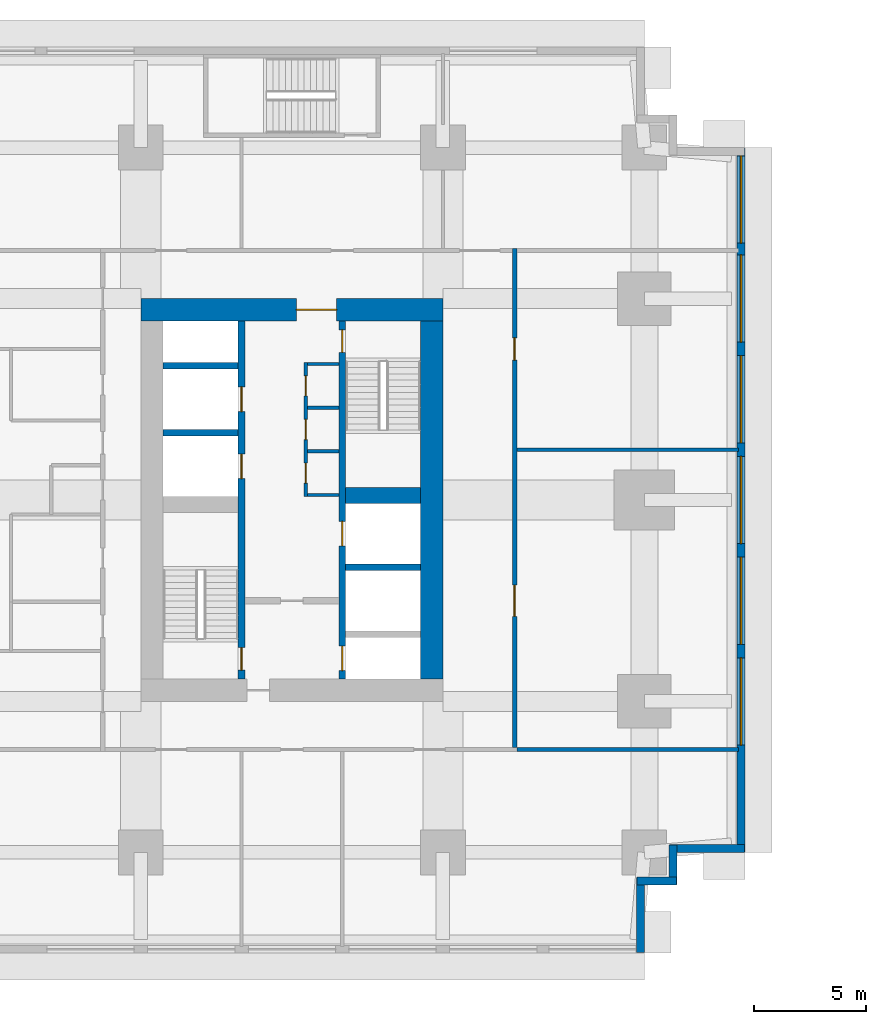
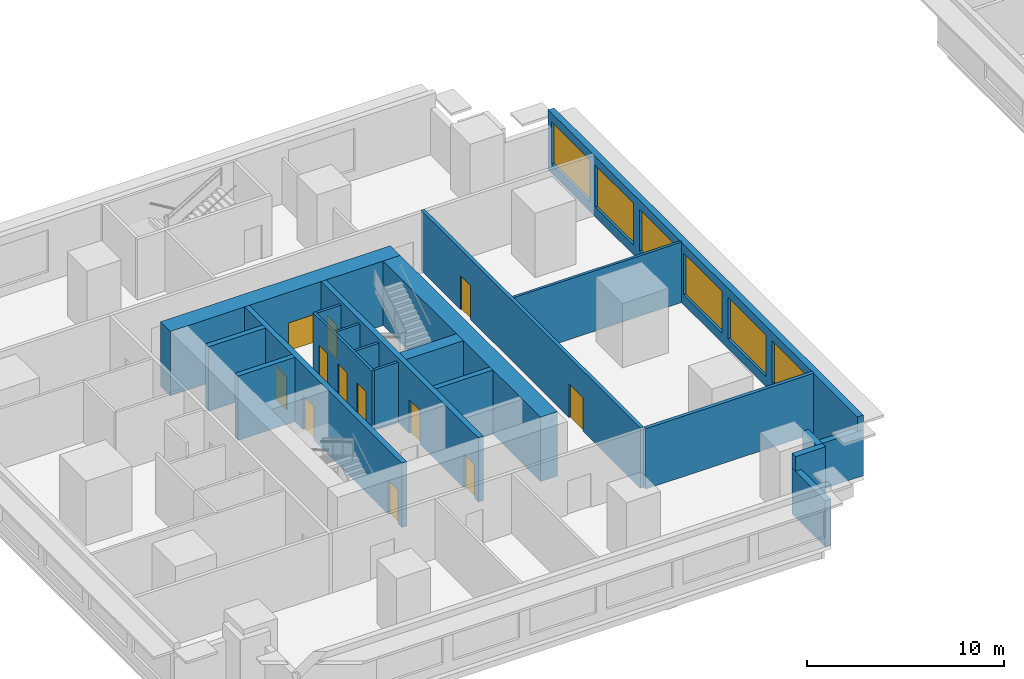
# One storey, part 4 of 11: 21 walls, 12 doors, 6 windows, 18 openings.
"""IFC4 building model written with IfcOpenShell, lengths in metres."""

from ifc_helpers import new_model, si_unit, direction, frame, frame_2d, origin, place, context, subcontext, project, spatial, rectangle, extrude, material, layer, layer_set, type_object, element, fill, save


model = new_model("IFC4")

# Units and contexts
model_context = context("Model", 3, precision=1e-05, world=origin(), true_north=direction((0.0, 1.0)))
body_context = subcontext(model_context, "Body", "Model", "MODEL_VIEW")
ifc_project = project(units=[si_unit("LENGTHUNIT", "METRE"), si_unit("AREAUNIT", "SQUARE_METRE"), si_unit("VOLUMEUNIT", "CUBIC_METRE"), si_unit("PLANEANGLEUNIT", "RADIAN"), si_unit("MASSUNIT", "GRAM", prefix="KILO")], contexts=[model_context])

# Site, building, storey
site_placement = place(None, origin())
site = spatial("IfcSite", under=ifc_project, at=site_placement, CompositionType="ELEMENT")
building_placement = place(site_placement, origin())
building = spatial("IfcBuilding", under=site, at=building_placement, Name="Namib Vertical Campus", CompositionType="ELEMENT")
storey_placement = place(building_placement, frame((0.0, 0.0, 61.0)))
storey = spatial("IfcBuildingStorey", under=building, at=storey_placement, Name="L14", CompositionType="ELEMENT", Elevation=61.0)

# Wall, openings, doors
ifc_material_1 = material(Name="Concrete C60/75", Category="concrete")
ifc_layer_1 = layer(ifc_material_1, 0.300048828125)
ifc_layer_set_1 = layer_set([ifc_layer_1], Name="Concrete C60/75")
wall_type_1 = type_object("IfcWallType", Name="Core inner wall 300", PredefinedType="SHEAR", material=ifc_layer_set_1)
wall_1_placement = place(storey_placement, frame((18.0, 12.25, 0.0), z_axis=(0.0, 0.0, 1.0), x_axis=(0.0, 1.0, 0.0)))
wall_1 = element("IfcWall", 1, at=wall_1_placement, inside=storey, type_object=wall_type_1, Name="Core inner wall A L14 W1", PredefinedType="SHEAR", context=body_context, shape_type="SweptSolid", body=[
    extrude(rectangle(XDim=16.0, YDim=0.300048828125, at=frame_2d((8.0, 0.0))), origin(), (0.0, 0.0, 1.0), 4.0),
])
opening_1_placement = place(wall_1_placement, frame((0.39990234375, 0.0, 0.0)))
opening_1 = element("IfcOpeningElement", 2, at=opening_1_placement, cuts=wall_1, Name="Opening FD1", PredefinedType="OPENING", context=body_context, shape_type="SweptSolid", body=[
    extrude(rectangle(XDim=1.0, YDim=2.10009765625, at=frame_2d((0.5, 1.050048828125))), frame((0.0, 0.159912109375, 0.0), z_axis=(0.0, -1.0, 0.0), x_axis=(1.0, 0.0, 0.0)), (0.0, 0.0, 1.0), 0.320068359375),
])
opening_2_placement = place(wall_1_placement, frame((8.949951171875, 0.0, 0.0)))
opening_2 = element("IfcOpeningElement", 3, at=opening_2_placement, cuts=wall_1, Name="Opening LD1", PredefinedType="OPENING", context=body_context, shape_type="SweptSolid", body=[
    extrude(rectangle(XDim=1.10009765625, YDim=2.10009765625, at=frame_2d((0.550048828125, 1.050048828125))), frame((0.0, 0.159912109375, 0.0), z_axis=(0.0, -1.0, 0.0), x_axis=(1.0, 0.0, 0.0)), (0.0, 0.0, 1.0), 0.320068359375),
])
opening_3_placement = place(wall_1_placement, frame((11.949951171875, 0.0, 0.0)))
opening_3 = element("IfcOpeningElement", 4, at=opening_3_placement, cuts=wall_1, Name="Opening LD1", PredefinedType="OPENING", context=body_context, shape_type="SweptSolid", body=[
    extrude(rectangle(XDim=1.10009765625, YDim=2.10009765625, at=frame_2d((0.550048828125, 1.050048828125))), frame((0.0, 0.159912109375, 0.0), z_axis=(0.0, -1.0, 0.0), x_axis=(1.0, 0.0, 0.0)), (0.0, 0.0, 1.0), 0.320068359375),
])
ifc_material_2 = material(Name="Steel fire door", Category="steel")
door_type_1 = type_object("IfcDoorType", Name="Fire door 1000x2100", OperationType="SINGLE_SWING_RIGHT", PredefinedType="DOOR", material=ifc_material_2)
door_1_placement = place(opening_1_placement, origin())
door_1 = element("IfcDoor", 5, at=door_1_placement, inside=storey, type_object=door_type_1, Name="Stair door FD1 A L14 S1", OperationType="SINGLE_SWING_LEFT", OverallHeight=2.10009765625, OverallWidth=1.0, PredefinedType="DOOR", context=body_context, shape_type="SweptSolid", body=[
    extrude(rectangle(XDim=1.0, YDim=2.10009765625, at=frame_2d((0.5, 1.050048828125))), frame((0.0, 0.02490234375, 0.0), z_axis=(0.0, -1.0, 0.0), x_axis=(1.0, 0.0, 0.0)), (0.0, 0.0, 1.0), 0.050048828125),
])
fill(opening_1, door_1)
ifc_material_3 = material(Name="Stainless steel lift door", Category="steel")
door_type_2 = type_object("IfcDoorType", Name="Lift landing door 1100x2100", OperationType="DOUBLE_DOOR_SLIDING", PredefinedType="DOOR", material=ifc_material_3)
door_2_placement = place(opening_2_placement, origin())
door_2 = element("IfcDoor", 6, at=door_2_placement, inside=storey, type_object=door_type_2, Name="Lift landing door LD1 A-P1 L14", OperationType="DOUBLE_DOOR_SLIDING", OverallHeight=2.10009765625, OverallWidth=1.10009765625, PredefinedType="DOOR", context=body_context, shape_type="SweptSolid", body=[
    extrude(rectangle(XDim=1.10009765625, YDim=2.10009765625, at=frame_2d((0.550048828125, 1.050048828125))), frame((0.0, 0.02490234375, 0.0), z_axis=(0.0, -1.0, 0.0), x_axis=(1.0, 0.0, 0.0)), (0.0, 0.0, 1.0), 0.050048828125),
])
fill(opening_2, door_2)
door_3_placement = place(opening_3_placement, origin())
door_3 = element("IfcDoor", 7, at=door_3_placement, inside=storey, type_object=door_type_2, Name="Lift landing door LD1 A-P2 L14", OperationType="DOUBLE_DOOR_SLIDING", OverallHeight=2.10009765625, OverallWidth=1.10009765625, PredefinedType="DOOR", context=body_context, shape_type="SweptSolid", body=[
    extrude(rectangle(XDim=1.10009765625, YDim=2.10009765625, at=frame_2d((0.550048828125, 1.050048828125))), frame((0.0, 0.02490234375, 0.0), z_axis=(0.0, -1.0, 0.0), x_axis=(1.0, 0.0, 0.0)), (0.0, 0.0, 1.0), 0.050048828125),
])
fill(opening_3, door_3)

wall_2_placement = place(storey_placement, frame((22.5, 12.25, 0.0), z_axis=(0.0, 0.0, 1.0), x_axis=(0.0, 1.0, 0.0)))
wall_2 = element("IfcWall", 8, at=wall_2_placement, inside=storey, type_object=wall_type_1, Name="Core inner wall A L14 W2", PredefinedType="SHEAR", context=body_context, shape_type="SweptSolid", body=[
    extrude(rectangle(XDim=16.0, YDim=0.300048828125, at=frame_2d((8.0, 0.0))), origin(), (0.0, 0.0, 1.0), 4.0),
])
opening_4_placement = place(wall_2_placement, frame((14.60009765625, 0.0, 0.0)))
opening_4 = element("IfcOpeningElement", 9, at=opening_4_placement, cuts=wall_2, Name="Opening FD1", PredefinedType="OPENING", context=body_context, shape_type="SweptSolid", body=[
    extrude(rectangle(XDim=1.0, YDim=2.10009765625, at=frame_2d((0.5, 1.050048828125))), frame((0.0, 0.159912109375, 0.0), z_axis=(0.0, -1.0, 0.0), x_axis=(1.0, 0.0, 0.0)), (0.0, 0.0, 1.0), 0.320068359375),
])
opening_5_placement = place(wall_2_placement, frame((0.375, 0.0, 0.0)))
opening_5 = element("IfcOpeningElement", 10, at=opening_5_placement, cuts=wall_2, Name="Opening LD1", PredefinedType="OPENING", context=body_context, shape_type="SweptSolid", body=[
    extrude(rectangle(XDim=1.10009765625, YDim=2.10009765625, at=frame_2d((0.550048828125, 1.050048828125))), frame((0.0, 0.159912109375, 0.0), z_axis=(0.0, -1.0, 0.0), x_axis=(1.0, 0.0, 0.0)), (0.0, 0.0, 1.0), 0.320068359375),
])
opening_6_placement = place(wall_2_placement, frame((5.949951171875, 0.0, 0.0)))
opening_6 = element("IfcOpeningElement", 11, at=opening_6_placement, cuts=wall_2, Name="Opening LD1", PredefinedType="OPENING", context=body_context, shape_type="SweptSolid", body=[
    extrude(rectangle(XDim=1.10009765625, YDim=2.10009765625, at=frame_2d((0.550048828125, 1.050048828125))), frame((0.0, 0.159912109375, 0.0), z_axis=(0.0, -1.0, 0.0), x_axis=(1.0, 0.0, 0.0)), (0.0, 0.0, 1.0), 0.320068359375),
])
door_4_placement = place(opening_4_placement, frame((1.0, 0.0, 0.0), z_axis=(0.0, 0.0, 1.0), x_axis=(-1.0, 0.0, 0.0)))
door_4 = element("IfcDoor", 12, at=door_4_placement, inside=storey, type_object=door_type_1, Name="Stair door FD1 A L14 S2", OperationType="SINGLE_SWING_LEFT", OverallHeight=2.10009765625, OverallWidth=1.0, PredefinedType="DOOR", context=body_context, shape_type="SweptSolid", body=[
    extrude(rectangle(XDim=1.0, YDim=2.10009765625, at=frame_2d((0.5, 1.050048828125))), frame((0.0, 0.02490234375, 0.0), z_axis=(0.0, -1.0, 0.0), x_axis=(1.0, 0.0, 0.0)), (0.0, 0.0, 1.0), 0.050048828125),
])
fill(opening_4, door_4)
door_5_placement = place(opening_5_placement, origin())
door_5 = element("IfcDoor", 13, at=door_5_placement, inside=storey, type_object=door_type_2, Name="Lift landing door LD1 A-FL1 L14", OperationType="DOUBLE_DOOR_SLIDING", OverallHeight=2.10009765625, OverallWidth=1.10009765625, PredefinedType="DOOR", context=body_context, shape_type="SweptSolid", body=[
    extrude(rectangle(XDim=1.10009765625, YDim=2.10009765625, at=frame_2d((0.550048828125, 1.050048828125))), frame((0.0, 0.02490234375, 0.0), z_axis=(0.0, -1.0, 0.0), x_axis=(1.0, 0.0, 0.0)), (0.0, 0.0, 1.0), 0.050048828125),
])
fill(opening_5, door_5)
door_6_placement = place(opening_6_placement, origin())
door_6 = element("IfcDoor", 14, at=door_6_placement, inside=storey, type_object=door_type_2, Name="Lift landing door LD1 A-P5 L14", OperationType="DOUBLE_DOOR_SLIDING", OverallHeight=2.10009765625, OverallWidth=1.10009765625, PredefinedType="DOOR", context=body_context, shape_type="SweptSolid", body=[
    extrude(rectangle(XDim=1.10009765625, YDim=2.10009765625, at=frame_2d((0.550048828125, 1.050048828125))), frame((0.0, 0.02490234375, 0.0), z_axis=(0.0, -1.0, 0.0), x_axis=(1.0, 0.0, 0.0)), (0.0, 0.0, 1.0), 0.050048828125),
])
fill(opening_6, door_6)

# Walls
for number, where, z_axis, x_axis, name in (
    (15, (22.64990234375, 17.25, 0.0), (0.0, 0.0, 1.0), (1.0, 0.0, 0.0), "Core inner wall A L14 W6"),
    (16, (14.5, 23.25, 0.0), (0.0, 0.0, 1.0), (1.0, 0.0, 0.0), "Core inner wall A L14 W8"),
    (17, (14.5, 26.25, 0.0), (0.0, 0.0, 1.0), (1.0, 0.0, 0.0), "Core inner wall A L14 W9"),
):
    element("IfcWall", number, at=place(storey_placement, frame(where, z_axis=z_axis, x_axis=x_axis)), inside=storey, type_object=wall_type_1, Name=name, PredefinedType="SHEAR", context=body_context, shape_type="SweptSolid", body=[
        extrude(rectangle(XDim=3.35009765625, YDim=0.300048828125, at=frame_2d((1.675048828125, 0.0))), origin(), (0.0, 0.0, 1.0), 4.0),
    ])
ifc_material_4 = material(Name="Concrete C60/75", Category="concrete")
ifc_layer_2 = layer(ifc_material_4, 0.699951171875)
ifc_layer_set_2 = layer_set([ifc_layer_2], Name="Concrete C60/75")
wall_type_2 = type_object("IfcWallType", Name="Core shear wall 700", PredefinedType="SHEAR", material=ifc_layer_set_2)
wall_3_placement = place(storey_placement, frame((22.64990234375, 20.449951171875, 0.0), z_axis=(0.0, 0.0, 1.0), x_axis=(1.0, 0.0, 0.0)))
element("IfcWall", 18, at=wall_3_placement, inside=storey, type_object=wall_type_2, Name="Core shear wall A L14 W7", PredefinedType="SHEAR", context=body_context, shape_type="SweptSolid", body=[
    extrude(rectangle(XDim=3.35009765625, YDim=0.699951171875, at=frame_2d((1.675048828125, 0.0))), origin(), (0.0, 0.0, 1.0), 4.0),
])
ifc_material_5 = material(Name="Concrete C60/75", Category="concrete")
ifc_layer_3 = layer(ifc_material_5, 1.0)
ifc_layer_set_3 = layer_set([ifc_layer_3], Name="Concrete C60/75")
wall_type_3 = type_object("IfcWallType", Name="Core wall 1000", PredefinedType="SHEAR", material=ifc_layer_set_3)
wall_4_placement = place(storey_placement, frame((26.5, 12.25, 0.0), z_axis=(0.0, 0.0, 1.0), x_axis=(0.0, 1.0, 0.0)))
element("IfcWall", 19, at=wall_4_placement, inside=storey, type_object=wall_type_3, Name="Core wall A L14 2", PredefinedType="SHEAR", context=body_context, shape_type="SweptSolid", body=[
    extrude(rectangle(XDim=16.0, YDim=1.0, at=frame_2d((8.0, 0.0))), origin(), (0.0, 0.0, 1.0), 4.0),
])

# Wall, opening, door
wall_5_placement = place(storey_placement, frame((27.0, 28.75, 0.0), z_axis=(0.0, 0.0, 1.0), x_axis=(-1.0, 0.0, 0.0)))
wall_5 = element("IfcWall", 20, at=wall_5_placement, inside=storey, type_object=wall_type_3, Name="Core wall A L14 3", PredefinedType="SHEAR", context=body_context, shape_type="SweptSolid", body=[
    extrude(rectangle(XDim=13.5, YDim=1.0, at=frame_2d((6.75, 0.0))), origin(), (0.0, 0.0, 1.0), 4.0),
])
opening_7_placement = place(wall_5_placement, frame((4.75, 0.0, 0.0)))
opening_7 = element("IfcOpeningElement", 21, at=opening_7_placement, cuts=wall_5, Name="Opening FD2", PredefinedType="OPENING", context=body_context, shape_type="SweptSolid", body=[
    extrude(rectangle(XDim=1.800048828125, YDim=2.10009765625, at=frame_2d((0.89990234375, 1.050048828125))), frame((0.0, 0.510009765625, 0.0), z_axis=(0.0, -1.0, 0.0), x_axis=(1.0, 0.0, 0.0)), (0.0, 0.0, 1.0), 1.02001953125),
])
ifc_material_6 = material(Name="Steel fire door", Category="steel")
door_type_3 = type_object("IfcDoorType", Name="Fire door double 1800x2100", OperationType="DOUBLE_DOOR_SINGLE_SWING", PredefinedType="DOOR", material=ifc_material_6)
door_7_placement = place(opening_7_placement, origin())
door_7 = element("IfcDoor", 22, at=door_7_placement, inside=storey, type_object=door_type_3, Name="Lift lobby door FD2 A L14", OperationType="DOUBLE_DOOR_SINGLE_SWING", OverallHeight=2.10009765625, OverallWidth=1.800048828125, PredefinedType="DOOR", context=body_context, shape_type="SweptSolid", body=[
    extrude(rectangle(XDim=1.800048828125, YDim=2.10009765625, at=frame_2d((0.89990234375, 1.050048828125))), frame((0.0, 0.02490234375, 0.0), z_axis=(0.0, -1.0, 0.0), x_axis=(1.0, 0.0, 0.0)), (0.0, 0.0, 1.0), 0.050048828125),
])
fill(opening_7, door_7)

# Wall, openings, doors
ifc_material_7 = material(Name="Concrete masonry", Category="masonry")
ifc_layer_4 = layer(ifc_material_7, 0.199951171875)
ifc_layer_set_4 = layer_set([ifc_layer_4], Name="Corridor wall 200")
wall_type_4 = type_object("IfcWallType", Name="Corridor wall 200", PredefinedType="SOLIDWALL", material=ifc_layer_set_4)
wall_6_placement = place(storey_placement, frame((30.199951171875, 9.199951171875, 0.0), z_axis=(0.0, 0.0, 1.0), x_axis=(0.0, 1.0, 0.0)))
wall_6 = element("IfcWall", 23, at=wall_6_placement, inside=storey, type_object=wall_type_4, Name="Corridor wall A L14 CE", PredefinedType="SOLIDWALL", context=body_context, shape_type="SweptSolid", body=[
    extrude(rectangle(XDim=22.300048828125, YDim=0.199951171875, at=frame_2d((11.14990234375, 0.0))), origin(), (0.0, 0.0, 1.0), 3.75),
])
opening_8_placement = place(wall_6_placement, frame((5.85009765625, 0.0, 0.0)))
opening_8 = element("IfcOpeningElement", 24, at=opening_8_placement, cuts=wall_6, Name="Opening LB1", PredefinedType="OPENING", context=body_context, shape_type="SweptSolid", body=[
    extrude(rectangle(XDim=1.39990234375, YDim=2.10009765625, at=frame_2d((0.699951171875, 1.050048828125))), frame((0.0, 0.10986328125, 0.0), z_axis=(0.0, -1.0, 0.0), x_axis=(1.0, 0.0, 0.0)), (0.0, 0.0, 1.0), 0.219970703125),
])
opening_9_placement = place(wall_6_placement, frame((17.300048828125, 0.0, 0.0)))
opening_9 = element("IfcOpeningElement", 25, at=opening_9_placement, cuts=wall_6, Name="Opening CD1", PredefinedType="OPENING", context=body_context, shape_type="SweptSolid", body=[
    extrude(rectangle(XDim=1.0, YDim=2.10009765625, at=frame_2d((0.5, 1.050048828125))), frame((0.0, 0.10986328125, 0.0), z_axis=(0.0, -1.0, 0.0), x_axis=(1.0, 0.0, 0.0)), (0.0, 0.0, 1.0), 0.219970703125),
])
ifc_material_8 = material(Name="Timber fire door leaf", Category="wood")
door_type_4 = type_object("IfcDoorType", Name="Corridor door 1000x2100 20 min", OperationType="SINGLE_SWING_LEFT", PredefinedType="DOOR", material=ifc_material_8)
door_8_placement = place(opening_9_placement, frame((1.0, 0.0, 0.0), z_axis=(0.0, 0.0, 1.0), x_axis=(-1.0, 0.0, 0.0)))
door_8 = element("IfcDoor", 26, at=door_8_placement, inside=storey, type_object=door_type_4, Name="Door CD1 A14-05", OperationType="SINGLE_SWING_RIGHT", OverallHeight=2.10009765625, OverallWidth=1.0, PredefinedType="DOOR", context=body_context, shape_type="SweptSolid", body=[
    extrude(rectangle(XDim=1.0, YDim=2.10009765625, at=frame_2d((0.5, 1.050048828125))), frame((0.0, 0.02490234375, 0.0), z_axis=(0.0, -1.0, 0.0), x_axis=(1.0, 0.0, 0.0)), (0.0, 0.0, 1.0), 0.050048828125),
])
fill(opening_9, door_8)
ifc_material_9 = material(Name="Timber fire door leaf", Category="wood")
door_type_5 = type_object("IfcDoorType", Name="Laboratory door 1400x2100 leaf and a half", OperationType="DOUBLE_DOOR_SINGLE_SWING", PredefinedType="DOOR", material=ifc_material_9)
door_9_placement = place(opening_8_placement, frame((1.39990234375, 0.0, 0.0), z_axis=(0.0, 0.0, 1.0), x_axis=(-1.0, 0.0, 0.0)))
door_9 = element("IfcDoor", 27, at=door_9_placement, inside=storey, type_object=door_type_5, Name="Door LB1 A14-04", OperationType="DOUBLE_DOOR_SINGLE_SWING", OverallHeight=2.10009765625, OverallWidth=1.39990234375, PredefinedType="DOOR", context=body_context, shape_type="SweptSolid", body=[
    extrude(rectangle(XDim=1.39990234375, YDim=2.10009765625, at=frame_2d((0.699951171875, 1.050048828125))), frame((0.0, 0.02490234375, 0.0), z_axis=(0.0, -1.0, 0.0), x_axis=(1.0, 0.0, 0.0)), (0.0, 0.0, 1.0), 0.050048828125),
])
fill(opening_8, door_9)

# Walls
wall_7_placement = place(storey_placement, frame((30.300048828125, 9.10009765625, 0.0), z_axis=(0.0, 0.0, 1.0), x_axis=(1.0, 0.0, 0.0)))
element("IfcWall", 28, at=wall_7_placement, inside=storey, type_object=wall_type_4, Name="Partition A L14 BSE", PredefinedType="SOLIDWALL", context=body_context, shape_type="SweptSolid", body=[
    extrude(rectangle(XDim=9.89990234375, YDim=0.199951171875, at=frame_2d((4.949951171875, 0.0))), origin(), (0.0, 0.0, 1.0), 3.75),
])
ifc_material_10 = material(Name="Concrete C40/50", Category="concrete")
ifc_layer_5 = layer(ifc_material_10, 0.35009765625)
ifc_layer_set_5 = layer_set([ifc_layer_5], Name="Concrete C40/50")
wall_type_5 = type_object("IfcWallType", Name="External wall 350 bush-hammered concrete", PredefinedType="STANDARD", material=ifc_layer_set_5)
wall_8_placement = place(storey_placement, frame((35.824951171875, 0.02001953125, 0.0), z_axis=(0.0, 0.0, 1.0), x_axis=(0.0, 1.0, 0.0)))
element("IfcWall", 29, at=wall_8_placement, inside=storey, type_object=wall_type_5, Name="External wall L14 F02", PredefinedType="STANDARD", context=body_context, shape_type="SweptSolid", body=[
    extrude(rectangle(XDim=3.35986328125, YDim=0.35009765625, at=frame_2d((1.679931640625, 0.0))), origin(), (0.0, 0.0, 1.0), 2.85009765625),
])
for number, where, z_axis, x_axis, name in (
    (30, (35.669921875, 3.22509765625, 0.0), (0.0, 0.0, 1.0), (1.0, 0.0, 0.0), "External wall L14 F03"),
    (31, (37.27490234375, 3.070068359375, 0.0), (0.0, 0.0, 1.0), (0.0, 1.0, 0.0), "External wall L14 F04"),
):
    element("IfcWall", number, at=place(storey_placement, frame(where, z_axis=z_axis, x_axis=x_axis)), inside=storey, type_object=wall_type_5, Name=name, PredefinedType="STANDARD", context=body_context, shape_type="SweptSolid", body=[
        extrude(rectangle(XDim=1.760009765625, YDim=0.35009765625, at=frame_2d((0.8798828125, 0.0))), origin(), (0.0, 0.0, 1.0), 3.75),
    ])
wall_9_placement = place(storey_placement, frame((37.1201171875, 4.675048828125, 0.0), z_axis=(0.0, 0.0, 1.0), x_axis=(1.0, 0.0, 0.0)))
element("IfcWall", 32, at=wall_9_placement, inside=storey, type_object=wall_type_5, Name="External wall L14 F05", PredefinedType="STANDARD", context=body_context, shape_type="SweptSolid", body=[
    extrude(rectangle(XDim=3.35986328125, YDim=0.35009765625, at=frame_2d((1.679931640625, 0.0))), origin(), (0.0, 0.0, 1.0), 2.85009765625),
])

# Wall, openings, windows
wall_10_placement = place(storey_placement, frame((40.324951171875, 4.52001953125, 0.0), z_axis=(0.0, 0.0, 1.0), x_axis=(0.0, 1.0, 0.0)))
wall_10 = element("IfcWall", 33, at=wall_10_placement, inside=storey, type_object=wall_type_5, Name="External wall L14 F06", PredefinedType="STANDARD", context=body_context, shape_type="SweptSolid", body=[
    extrude(rectangle(XDim=31.4599609375, YDim=0.35009765625, at=frame_2d((15.72998046875, 0.0))), origin(), (0.0, 0.0, 1.0), 3.75),
])
opening_10_placement = place(wall_10_placement, frame((4.780029296875, 0.0, 0.60009765625)))
opening_10 = element("IfcOpeningElement", 34, at=opening_10_placement, cuts=wall_10, Name="Opening W2", PredefinedType="OPENING", context=body_context, shape_type="SweptSolid", body=[
    extrude(rectangle(XDim=3.89990234375, YDim=2.60009765625, at=frame_2d((1.949951171875, 1.300048828125))), frame((0.0, 0.18505859375, 0.0), z_axis=(0.0, -1.0, 0.0), x_axis=(1.0, 0.0, 0.0)), (0.0, 0.0, 1.0), 0.3701171875),
])
opening_11_placement = place(wall_10_placement, frame((9.280029296875, 0.0, 0.60009765625)))
opening_11 = element("IfcOpeningElement", 35, at=opening_11_placement, cuts=wall_10, Name="Opening W2", PredefinedType="OPENING", context=body_context, shape_type="SweptSolid", body=[
    extrude(rectangle(XDim=3.89990234375, YDim=2.60009765625, at=frame_2d((1.949951171875, 1.300048828125))), frame((0.0, 0.18505859375, 0.0), z_axis=(0.0, -1.0, 0.0), x_axis=(1.0, 0.0, 0.0)), (0.0, 0.0, 1.0), 0.3701171875),
])
opening_12_placement = place(wall_10_placement, frame((13.780029296875, 0.0, 0.60009765625)))
opening_12 = element("IfcOpeningElement", 36, at=opening_12_placement, cuts=wall_10, Name="Opening W2", PredefinedType="OPENING", context=body_context, shape_type="SweptSolid", body=[
    extrude(rectangle(XDim=3.89990234375, YDim=2.60009765625, at=frame_2d((1.949951171875, 1.300048828125))), frame((0.0, 0.18505859375, 0.0), z_axis=(0.0, -1.0, 0.0), x_axis=(1.0, 0.0, 0.0)), (0.0, 0.0, 1.0), 0.3701171875),
])
opening_13_placement = place(wall_10_placement, frame((18.280029296875, 0.0, 0.60009765625)))
opening_13 = element("IfcOpeningElement", 37, at=opening_13_placement, cuts=wall_10, Name="Opening W2", PredefinedType="OPENING", context=body_context, shape_type="SweptSolid", body=[
    extrude(rectangle(XDim=3.89990234375, YDim=2.60009765625, at=frame_2d((1.949951171875, 1.300048828125))), frame((0.0, 0.18505859375, 0.0), z_axis=(0.0, -1.0, 0.0), x_axis=(1.0, 0.0, 0.0)), (0.0, 0.0, 1.0), 0.3701171875),
])
opening_14_placement = place(wall_10_placement, frame((22.780029296875, 0.0, 0.60009765625)))
opening_14 = element("IfcOpeningElement", 38, at=opening_14_placement, cuts=wall_10, Name="Opening W2", PredefinedType="OPENING", context=body_context, shape_type="SweptSolid", body=[
    extrude(rectangle(XDim=3.89990234375, YDim=2.60009765625, at=frame_2d((1.949951171875, 1.300048828125))), frame((0.0, 0.18505859375, 0.0), z_axis=(0.0, -1.0, 0.0), x_axis=(1.0, 0.0, 0.0)), (0.0, 0.0, 1.0), 0.3701171875),
])
opening_15_placement = place(wall_10_placement, frame((27.2099609375, 0.0, 0.60009765625)))
opening_15 = element("IfcOpeningElement", 39, at=opening_15_placement, cuts=wall_10, Name="Opening W2", PredefinedType="OPENING", context=body_context, shape_type="SweptSolid", body=[
    extrude(rectangle(XDim=3.89990234375, YDim=2.60009765625, at=frame_2d((1.949951171875, 1.300048828125))), frame((0.0, 0.18505859375, 0.0), z_axis=(0.0, -1.0, 0.0), x_axis=(1.0, 0.0, 0.0)), (0.0, 0.0, 1.0), 0.3701171875),
])
ifc_material_11 = material(Name="Dark tinted glass in black aluminium frame", Category="aluminium")
window_type = type_object("IfcWindowType", Name="Ribbon window 3900x2600", PartitioningType="SINGLE_PANEL", PredefinedType="WINDOW", material=ifc_material_11)
window_1_placement = place(opening_10_placement, origin())
window_1 = element("IfcWindow", 40, at=window_1_placement, inside=storey, type_object=window_type, Name="Window W2 L14 F06-2", OverallHeight=2.60009765625, OverallWidth=3.89990234375, PartitioningType="SINGLE_PANEL", PredefinedType="WINDOW", context=body_context, shape_type="SweptSolid", body=[
    extrude(rectangle(XDim=3.89990234375, YDim=2.60009765625, at=frame_2d((1.949951171875, 1.300048828125))), frame((0.0, 0.030029296875, 0.0), z_axis=(0.0, -1.0, 0.0), x_axis=(1.0, 0.0, 0.0)), (0.0, 0.0, 1.0), 0.06005859375),
])
fill(opening_10, window_1)
window_2_placement = place(opening_11_placement, origin())
window_2 = element("IfcWindow", 41, at=window_2_placement, inside=storey, type_object=window_type, Name="Window W2 L14 F06-3", OverallHeight=2.60009765625, OverallWidth=3.89990234375, PartitioningType="SINGLE_PANEL", PredefinedType="WINDOW", context=body_context, shape_type="SweptSolid", body=[
    extrude(rectangle(XDim=3.89990234375, YDim=2.60009765625, at=frame_2d((1.949951171875, 1.300048828125))), frame((0.0, 0.030029296875, 0.0), z_axis=(0.0, -1.0, 0.0), x_axis=(1.0, 0.0, 0.0)), (0.0, 0.0, 1.0), 0.06005859375),
])
fill(opening_11, window_2)
window_3_placement = place(opening_12_placement, origin())
window_3 = element("IfcWindow", 42, at=window_3_placement, inside=storey, type_object=window_type, Name="Window W2 L14 F06-4", OverallHeight=2.60009765625, OverallWidth=3.89990234375, PartitioningType="SINGLE_PANEL", PredefinedType="WINDOW", context=body_context, shape_type="SweptSolid", body=[
    extrude(rectangle(XDim=3.89990234375, YDim=2.60009765625, at=frame_2d((1.949951171875, 1.300048828125))), frame((0.0, 0.030029296875, 0.0), z_axis=(0.0, -1.0, 0.0), x_axis=(1.0, 0.0, 0.0)), (0.0, 0.0, 1.0), 0.06005859375),
])
fill(opening_12, window_3)
window_4_placement = place(opening_13_placement, origin())
window_4 = element("IfcWindow", 43, at=window_4_placement, inside=storey, type_object=window_type, Name="Window W2 L14 F06-5", OverallHeight=2.60009765625, OverallWidth=3.89990234375, PartitioningType="SINGLE_PANEL", PredefinedType="WINDOW", context=body_context, shape_type="SweptSolid", body=[
    extrude(rectangle(XDim=3.89990234375, YDim=2.60009765625, at=frame_2d((1.949951171875, 1.300048828125))), frame((0.0, 0.030029296875, 0.0), z_axis=(0.0, -1.0, 0.0), x_axis=(1.0, 0.0, 0.0)), (0.0, 0.0, 1.0), 0.06005859375),
])
fill(opening_13, window_4)
window_5_placement = place(opening_14_placement, origin())
window_5 = element("IfcWindow", 44, at=window_5_placement, inside=storey, type_object=window_type, Name="Window W2 L14 F06-6", OverallHeight=2.60009765625, OverallWidth=3.89990234375, PartitioningType="SINGLE_PANEL", PredefinedType="WINDOW", context=body_context, shape_type="SweptSolid", body=[
    extrude(rectangle(XDim=3.89990234375, YDim=2.60009765625, at=frame_2d((1.949951171875, 1.300048828125))), frame((0.0, 0.030029296875, 0.0), z_axis=(0.0, -1.0, 0.0), x_axis=(1.0, 0.0, 0.0)), (0.0, 0.0, 1.0), 0.06005859375),
])
fill(opening_14, window_5)
window_6_placement = place(opening_15_placement, origin())
window_6 = element("IfcWindow", 45, at=window_6_placement, inside=storey, type_object=window_type, Name="Window W2 L14 F06-7", OverallHeight=2.60009765625, OverallWidth=3.89990234375, PartitioningType="SINGLE_PANEL", PredefinedType="WINDOW", context=body_context, shape_type="SweptSolid", body=[
    extrude(rectangle(XDim=3.89990234375, YDim=2.60009765625, at=frame_2d((1.949951171875, 1.300048828125))), frame((0.0, 0.030029296875, 0.0), z_axis=(0.0, -1.0, 0.0), x_axis=(1.0, 0.0, 0.0)), (0.0, 0.0, 1.0), 0.06005859375),
])
fill(opening_15, window_6)

# Wall, openings, doors
ifc_material_12 = material(Name="Gypsum board on steel studs", Category="steel")
ifc_layer_6 = layer(ifc_material_12, 0.14990234375)
ifc_layer_set_6 = layer_set([ifc_layer_6], Name="Gypsum board on steel studs")
wall_type_6 = type_object("IfcWallType", Name="Partition 150", PredefinedType="PARTITIONING", material=ifc_layer_set_6)
wall_11_placement = place(storey_placement, frame((20.875, 20.39990234375, 0.0), z_axis=(0.0, 0.0, 1.0), x_axis=(0.0, 1.0, 0.0)))
wall_11 = element("IfcWall", 46, at=wall_11_placement, inside=storey, type_object=wall_type_6, Name="Partition A L14 Records store and Cleaners' store and Linen store front", PredefinedType="PARTITIONING", context=body_context, shape_type="SweptSolid", body=[
    extrude(rectangle(XDim=6.0, YDim=0.14990234375, at=frame_2d((3.0, 0.0))), origin(), (0.0, 0.0, 1.0), 3.75),
])
opening_16_placement = place(wall_11_placement, frame((0.60009765625, 0.0, 0.0)))
opening_16 = element("IfcOpeningElement", 47, at=opening_16_placement, cuts=wall_11, Name="Opening D3", PredefinedType="OPENING", context=body_context, shape_type="SweptSolid", body=[
    extrude(rectangle(XDim=0.89990234375, YDim=2.10009765625, at=frame_2d((0.449951171875, 1.050048828125))), frame((0.0, 0.0849609375, 0.0), z_axis=(0.0, -1.0, 0.0), x_axis=(1.0, 0.0, 0.0)), (0.0, 0.0, 1.0), 0.169921875),
])
opening_17_placement = place(wall_11_placement, frame((2.550048828125, 0.0, 0.0)))
opening_17 = element("IfcOpeningElement", 48, at=opening_17_placement, cuts=wall_11, Name="Opening D3", PredefinedType="OPENING", context=body_context, shape_type="SweptSolid", body=[
    extrude(rectangle(XDim=0.89990234375, YDim=2.10009765625, at=frame_2d((0.449951171875, 1.050048828125))), frame((0.0, 0.0849609375, 0.0), z_axis=(0.0, -1.0, 0.0), x_axis=(1.0, 0.0, 0.0)), (0.0, 0.0, 1.0), 0.169921875),
])
opening_18_placement = place(wall_11_placement, frame((4.5, 0.0, 0.0)))
opening_18 = element("IfcOpeningElement", 49, at=opening_18_placement, cuts=wall_11, Name="Opening D3", PredefinedType="OPENING", context=body_context, shape_type="SweptSolid", body=[
    extrude(rectangle(XDim=0.89990234375, YDim=2.10009765625, at=frame_2d((0.449951171875, 1.050048828125))), frame((0.0, 0.0849609375, 0.0), z_axis=(0.0, -1.0, 0.0), x_axis=(1.0, 0.0, 0.0)), (0.0, 0.0, 1.0), 0.169921875),
])
ifc_material_13 = material(Name="Timber door leaf", Category="wood")
door_type_6 = type_object("IfcDoorType", Name="Toilet door 900x2100", OperationType="SINGLE_SWING_LEFT", PredefinedType="DOOR", material=ifc_material_13)
door_10_placement = place(opening_16_placement, frame((0.89990234375, 0.0, 0.0), z_axis=(0.0, 0.0, 1.0), x_axis=(-1.0, 0.0, 0.0)))
door_10 = element("IfcDoor", 50, at=door_10_placement, inside=storey, type_object=door_type_6, Name="Door D3 Records store A L14", OperationType="SINGLE_SWING_RIGHT", OverallHeight=2.10009765625, OverallWidth=0.89990234375, PredefinedType="DOOR", context=body_context, shape_type="SweptSolid", body=[
    extrude(rectangle(XDim=0.89990234375, YDim=2.10009765625, at=frame_2d((0.449951171875, 1.050048828125))), frame((0.0, 0.02490234375, 0.0), z_axis=(0.0, -1.0, 0.0), x_axis=(1.0, 0.0, 0.0)), (0.0, 0.0, 1.0), 0.050048828125),
])
fill(opening_16, door_10)
door_11_placement = place(opening_17_placement, frame((0.89990234375, 0.0, 0.0), z_axis=(0.0, 0.0, 1.0), x_axis=(-1.0, 0.0, 0.0)))
door_11 = element("IfcDoor", 51, at=door_11_placement, inside=storey, type_object=door_type_6, Name="Door D3 Cleaners' store A L14", OperationType="SINGLE_SWING_RIGHT", OverallHeight=2.10009765625, OverallWidth=0.89990234375, PredefinedType="DOOR", context=body_context, shape_type="SweptSolid", body=[
    extrude(rectangle(XDim=0.89990234375, YDim=2.10009765625, at=frame_2d((0.449951171875, 1.050048828125))), frame((0.0, 0.02490234375, 0.0), z_axis=(0.0, -1.0, 0.0), x_axis=(1.0, 0.0, 0.0)), (0.0, 0.0, 1.0), 0.050048828125),
])
fill(opening_17, door_11)
door_12_placement = place(opening_18_placement, frame((0.89990234375, 0.0, 0.0), z_axis=(0.0, 0.0, 1.0), x_axis=(-1.0, 0.0, 0.0)))
door_12 = element("IfcDoor", 52, at=door_12_placement, inside=storey, type_object=door_type_6, Name="Door D3 Linen store A L14", OperationType="SINGLE_SWING_RIGHT", OverallHeight=2.10009765625, OverallWidth=0.89990234375, PredefinedType="DOOR", context=body_context, shape_type="SweptSolid", body=[
    extrude(rectangle(XDim=0.89990234375, YDim=2.10009765625, at=frame_2d((0.449951171875, 1.050048828125))), frame((0.0, 0.02490234375, 0.0), z_axis=(0.0, -1.0, 0.0), x_axis=(1.0, 0.0, 0.0)), (0.0, 0.0, 1.0), 0.050048828125),
])
fill(opening_18, door_12)

# Walls
for number, where, z_axis, x_axis, name in (
    (53, (20.949951171875, 20.47509765625, 0.0), (0.0, 0.0, 1.0), (1.0, 0.0, 0.0), "Partition A L14 Records store and Cleaners' store and Linen store end 1"),
    (54, (20.949951171875, 22.425048828125, 0.0), (0.0, 0.0, 1.0), (1.0, 0.0, 0.0), "Partition A L14 Records store and Cleaners' store and Linen store division 2"),
    (55, (20.949951171875, 24.375, 0.0), (0.0, 0.0, 1.0), (1.0, 0.0, 0.0), "Partition A L14 Records store and Cleaners' store and Linen store division 3"),
    (56, (20.949951171875, 26.324951171875, 0.0), (0.0, 0.0, 1.0), (1.0, 0.0, 0.0), "Partition A L14 Records store and Cleaners' store and Linen store end 4"),
):
    element("IfcWall", number, at=place(storey_placement, frame(where, z_axis=z_axis, x_axis=x_axis)), inside=storey, type_object=wall_type_6, Name=name, PredefinedType="PARTITIONING", context=body_context, shape_type="SweptSolid", body=[
        extrude(rectangle(XDim=1.400146484375, YDim=0.14990234375, at=frame_2d((0.7001953125, 0.0))), origin(), (0.0, 0.0, 1.0), 3.75),
    ])
wall_12_placement = place(storey_placement, frame((30.300048828125, 22.5, 0.0), z_axis=(0.0, 0.0, 1.0), x_axis=(1.0, 0.0, 0.0)))
element("IfcWall", 57, at=wall_12_placement, inside=storey, type_object=wall_type_6, Name="Partition A L14 PE1", PredefinedType="PARTITIONING", context=body_context, shape_type="SweptSolid", body=[
    extrude(rectangle(XDim=9.89990234375, YDim=0.14990234375, at=frame_2d((4.949951171875, 0.0))), origin(), (0.0, 0.0, 1.0), 3.75),
])

save(model, "model.ifc")
